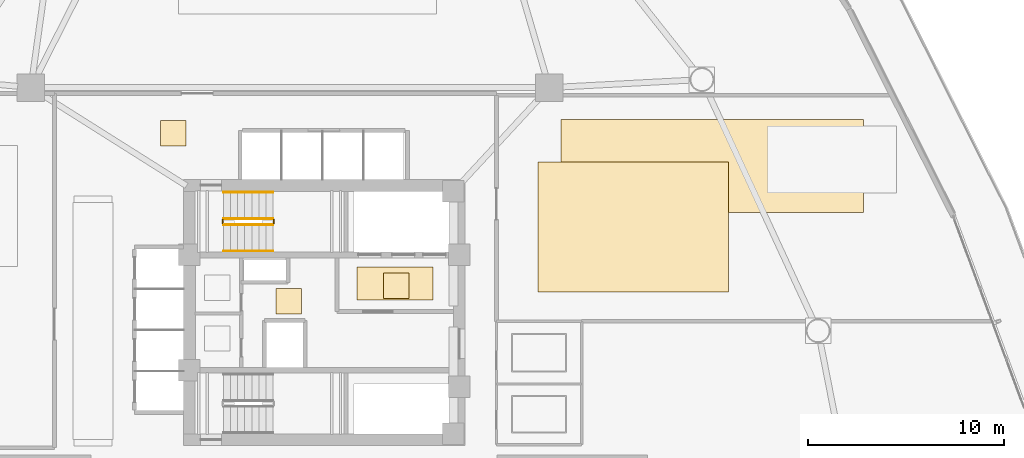
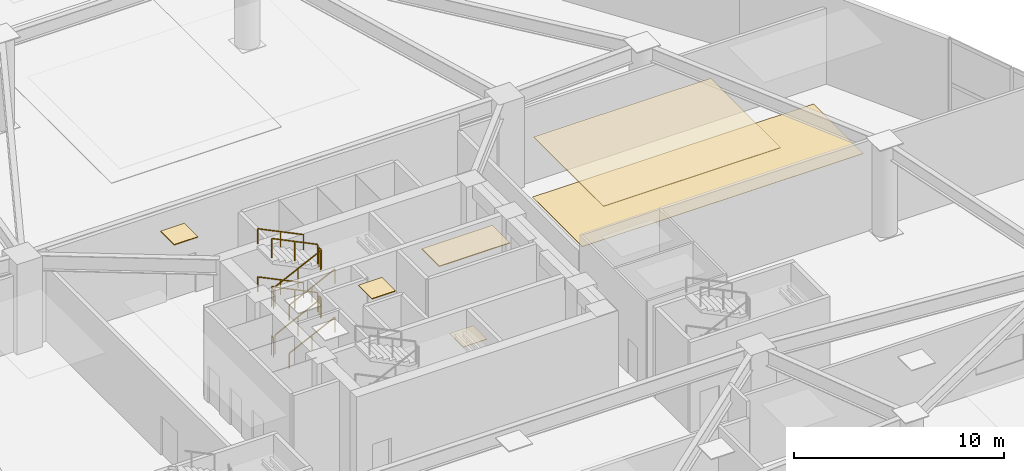
# One storey, part 22 of 26: 12 railings, 6 coverings.
"""IFC4 building model written with IfcOpenShell, lengths in metres."""

from ifc_helpers import new_model, si_unit, direction, frame, origin, origin_2d, place, context, subcontext, project, spatial, polyline, rectangle, outline, extrude, material, layer, layer_set, type_object, element, save


model = new_model("IFC4")

# Units and contexts
model_context = context("Model", 3, precision=1e-05, world=origin(), true_north=direction((0.0, 1.0)))
body_context = subcontext(model_context, "Body", "Model", "MODEL_VIEW")
ifc_project = project(units=[si_unit("LENGTHUNIT", "METRE"), si_unit("AREAUNIT", "SQUARE_METRE"), si_unit("VOLUMEUNIT", "CUBIC_METRE"), si_unit("PLANEANGLEUNIT", "RADIAN"), si_unit("MASSUNIT", "GRAM", prefix="KILO")], contexts=[model_context])

# Site, building, storey
site_placement = place(None, origin())
site = spatial("IfcSite", under=ifc_project, at=site_placement, CompositionType="ELEMENT")
building_placement = place(site_placement, origin())
building = spatial("IfcBuilding", under=site, at=building_placement, Name="Tavelor Broadcast Tower", CompositionType="ELEMENT")
storey_placement = place(building_placement, frame((0.0, 0.0, 5.800048828125)))
storey = spatial("IfcBuildingStorey", under=building, at=storey_placement, Name="L01", CompositionType="ELEMENT", Elevation=5.800048828125)

# Coverings
ifc_material_1 = material(Name="Copper-Bronze Anodized Aluminium", Category="aluminium")
ifc_layer_1 = layer(ifc_material_1, 0.044921875)
ifc_layer_set_1 = layer_set([ifc_layer_1], Name="Copper-Bronze Anodized Aluminium")
covering_type_1 = type_object("IfcCoveringType", Name="Anodised Bronze Linear Slatted Concourse Ceiling 45 mm", PredefinedType="CEILING", material=ifc_layer_set_1)
covering_1_placement = place(storey_placement, frame((0.0, 0.0, 5.204833984375)))
element("IfcCovering", 1, at=covering_1_placement, inside=storey, type_object=covering_type_1, Name="L01 Suspended Acoustic Ceiling 0030", PredefinedType="CEILING", context=body_context, shape_type="SweptSolid", body=[
    extrude(outline(polyline([(51.659912109375, 45.654296875), (55.55712890625, 45.654296875), (55.55712890625, 47.331787109375), (51.659912109375, 47.331787109375), (51.659912109375, 45.654296875)])), origin(), (0.0, 0.0, 1.0), 0.045166015625),
])
covering_2_placement = place(storey_placement, frame((0.0, 0.0, 5.204833984375)))
element("IfcCovering", 2, at=covering_2_placement, inside=storey, type_object=covering_type_1, Name="L01 Suspended Acoustic Ceiling 0031", PredefinedType="CEILING", context=body_context, shape_type="SweptSolid", body=[
    extrude(outline(polyline([(47.5400390625, 44.919921875), (48.840087890625, 44.919921875), (48.840087890625, 46.219970703125), (47.5400390625, 46.219970703125), (47.5400390625, 44.919921875)])), origin(), (0.0, 0.0, 1.0), 0.045166015625),
])
covering_3_placement = place(storey_placement, frame((0.0, 0.0, 5.204833984375)))
element("IfcCovering", 3, at=covering_3_placement, inside=storey, type_object=covering_type_1, Name="L01 Suspended Acoustic Ceiling 0035", PredefinedType="CEILING", context=body_context, shape_type="SweptSolid", body=[
    extrude(outline(polyline([(41.627197265625, 53.513671875), (42.92724609375, 53.513671875), (42.92724609375, 54.813720703125), (41.627197265625, 54.813720703125), (41.627197265625, 53.513671875)])), origin(), (0.0, 0.0, 1.0), 0.045166015625),
])

# Railings
ifc_material_2 = material(Name="Steel S355", Category="steel")
railing_type_1 = type_object("IfcRailingType", Name="Continuous Brushed Stainless Handrail 900 mm", PredefinedType="HANDRAIL", material=ifc_material_2)
railing_1_placement = place(storey_placement, frame((44.85009765625, 48.14990234375, 0.175048828125)))
element("IfcRailing", 4, at=railing_1_placement, inside=storey, type_object=railing_type_1, Name="L01 ST1 stair handrail 1", PredefinedType="HANDRAIL", context=body_context, shape_type="SweptSolid", body=[
    extrude(rectangle(XDim=0.048095703125, YDim=0.048095703125, at=origin_2d()), frame((0.0, 0.0, 0.8759765625), z_axis=(0.899389741696, 0.0, 0.437147678172), x_axis=(0.0, 1.0, 0.0)), (0.0, 0.0, 1.0), 2.802001953125),
    extrude(rectangle(XDim=0.0419921875, YDim=0.0419921875, at=origin_2d()), origin(), (0.0, 0.0, 1.0), 0.851806640625),
    extrude(rectangle(XDim=0.0419921875, YDim=0.0419921875, at=origin_2d()), frame((1.260009765625, 0.0, 0.6123046875)), (0.0, 0.0, 1.0), 0.851806640625),
    extrude(rectangle(XDim=0.0419921875, YDim=0.0419921875, at=origin_2d()), frame((2.52001953125, 0.0, 1.224853515625)), (0.0, 0.0, 1.0), 0.851806640625),
])
railing_2_placement = place(storey_placement, frame((47.3701171875, 51.14990234375, 1.574951171875)))
element("IfcRailing", 5, at=railing_2_placement, inside=storey, type_object=railing_type_1, Name="L01 ST1 stair handrail 2", PredefinedType="HANDRAIL", context=body_context, shape_type="SweptSolid", body=[
    extrude(rectangle(XDim=0.048095703125, YDim=0.048095703125, at=origin_2d()), frame((0.0, 0.0, 0.8759765625), z_axis=(-0.899355482384, 0.0, 0.437218156423), x_axis=(0.0, -1.0, 0.0)), (0.0, 0.0, 1.0), 2.802001953125),
    extrude(rectangle(XDim=0.0419921875, YDim=0.0419921875, at=origin_2d()), origin(), (0.0, 0.0, 1.0), 0.851806640625),
    extrude(rectangle(XDim=0.0419921875, YDim=0.0419921875, at=origin_2d()), frame((-1.260009765625, 0.0, 0.612548828125)), (0.0, 0.0, 1.0), 0.851806640625),
    extrude(rectangle(XDim=0.0419921875, YDim=0.0419921875, at=origin_2d()), frame((-2.52001953125, 0.0, 1.22509765625)), (0.0, 0.0, 1.0), 0.851806640625),
])
railing_3_placement = place(storey_placement, frame((44.85009765625, 48.14990234375, 2.974853515625)))
element("IfcRailing", 6, at=railing_3_placement, inside=storey, type_object=railing_type_1, Name="L01 ST1 stair handrail 3", PredefinedType="HANDRAIL", context=body_context, shape_type="SweptSolid", body=[
    extrude(rectangle(XDim=0.048095703125, YDim=0.048095703125, at=origin_2d()), frame((0.0, 0.0, 0.8759765625), z_axis=(0.899355482384, 0.0, 0.437218156423), x_axis=(0.0, 1.0, 0.0)), (0.0, 0.0, 1.0), 2.802001953125),
    extrude(rectangle(XDim=0.0419921875, YDim=0.0419921875, at=origin_2d()), origin(), (0.0, 0.0, 1.0), 0.851806640625),
    extrude(rectangle(XDim=0.0419921875, YDim=0.0419921875, at=origin_2d()), frame((1.260009765625, 0.0, 0.612548828125)), (0.0, 0.0, 1.0), 0.851806640625),
    extrude(rectangle(XDim=0.0419921875, YDim=0.0419921875, at=origin_2d()), frame((2.52001953125, 0.0, 1.22509765625)), (0.0, 0.0, 1.0), 0.851806640625),
])
railing_4_placement = place(storey_placement, frame((47.3701171875, 51.14990234375, 4.375)))
element("IfcRailing", 7, at=railing_4_placement, inside=storey, type_object=railing_type_1, Name="L01 ST1 stair handrail 4", PredefinedType="HANDRAIL", context=body_context, shape_type="SweptSolid", body=[
    extrude(rectangle(XDim=0.048095703125, YDim=0.048095703125, at=origin_2d()), frame((0.0, 0.0, 0.8759765625), z_axis=(-0.899389741696, 0.0, 0.437147678172), x_axis=(0.0, -1.0, 0.0)), (0.0, 0.0, 1.0), 2.802001953125),
    extrude(rectangle(XDim=0.0419921875, YDim=0.0419921875, at=origin_2d()), origin(), (0.0, 0.0, 1.0), 0.851806640625),
    extrude(rectangle(XDim=0.0419921875, YDim=0.0419921875, at=origin_2d()), frame((-1.260009765625, 0.0, 0.6123046875)), (0.0, 0.0, 1.0), 0.851806640625),
    extrude(rectangle(XDim=0.0419921875, YDim=0.0419921875, at=origin_2d()), frame((-2.52001953125, 0.0, 1.224853515625)), (0.0, 0.0, 1.0), 0.851806640625),
])

# Coverings
ifc_material_3 = material(Name="Acoustic Nylon Carpet Tile")
ifc_layer_2 = layer(ifc_material_3, 0.02001953125)
ifc_layer_set_2 = layer_set([ifc_layer_2], Name="Acoustic Nylon Carpet Tile")
covering_type_2 = type_object("IfcCoveringType", Name="Heavy-Duty Acoustic Broadcast Carpet Tile 20 mm", PredefinedType="FLOORING", material=ifc_layer_set_2)
covering_4_placement = place(storey_placement, origin())
element("IfcCovering", 8, at=covering_4_placement, inside=storey, type_object=covering_type_2, Name="L01 Broadcast Floor Finish 0022", PredefinedType="FLOORING", context=body_context, shape_type="SweptSolid", body=[
    extrude(outline(polyline([(62.1064453125, 50.12109375), (77.5576171875, 50.12109375), (77.5576171875, 54.873779296875), (62.1064453125, 54.873779296875), (62.1064453125, 50.12109375)])), origin(), (0.0, 0.0, 1.0), 0.02001953125),
])
ifc_material_4 = material(Name="Honed Natural Limestone Tile", Category="masonry")
ifc_layer_3 = layer(ifc_material_4, 0.030029296875)
ifc_layer_set_3 = layer_set([ifc_layer_3], Name="Honed Natural Limestone Tile")
covering_type_3 = type_object("IfcCoveringType", Name="Honed Jerusalem Limestone Concourse Flooring 30 mm", PredefinedType="FLOORING", material=ifc_layer_set_3)
covering_5_placement = place(storey_placement, origin())
element("IfcCovering", 9, at=covering_5_placement, inside=storey, type_object=covering_type_3, Name="L01 Broadcast Floor Finish 0013", PredefinedType="FLOORING", context=body_context, shape_type="SweptSolid", body=[
    extrude(outline(polyline([(53.030029296875, 45.728515625), (54.330078125, 45.728515625), (54.330078125, 47.028564453125), (53.030029296875, 47.028564453125), (53.030029296875, 45.728515625)])), origin(), (0.0, 0.0, 1.0), 0.030029296875),
])

# Railings
railing_type_2 = type_object("IfcRailingType", Name="Stairwell Steel Safety Guardrail 1150 mm", PredefinedType="GUARDRAIL", material=ifc_material_2)
railing_5_placement = place(storey_placement, frame((44.85009765625, 49.5, 0.175048828125)))
element("IfcRailing", 10, at=railing_5_placement, inside=storey, type_object=railing_type_2, Name="L01 ST1 stair guard 1", PredefinedType="GUARDRAIL", context=body_context, shape_type="SweptSolid", body=[
    extrude(rectangle(XDim=0.048095703125, YDim=0.048095703125, at=origin_2d()), frame((0.0, 0.0, 1.1259765625), z_axis=(0.899389741696, 0.0, 0.437147678172), x_axis=(0.0, 1.0, 0.0)), (0.0, 0.0, 1.0), 2.802001953125),
    extrude(rectangle(XDim=0.0419921875, YDim=0.0419921875, at=origin_2d()), origin(), (0.0, 0.0, 1.0), 1.101806640625),
    extrude(rectangle(XDim=0.0419921875, YDim=0.0419921875, at=origin_2d()), frame((1.260009765625, 0.0, 0.6123046875)), (0.0, 0.0, 1.0), 1.101806640625),
    extrude(rectangle(XDim=0.0419921875, YDim=0.0419921875, at=origin_2d()), frame((2.52001953125, 0.0, 1.224853515625)), (0.0, 0.0, 1.0), 1.101806640625),
])
railing_6_placement = place(storey_placement, frame((47.419921875, 49.550048828125, 1.39990234375)))
element("IfcRailing", 11, at=railing_6_placement, inside=storey, type_object=railing_type_2, Name="L01 ST1 stair guard 2", PredefinedType="GUARDRAIL", context=body_context, shape_type="SweptSolid", body=[
    extrude(rectangle(XDim=0.048095703125, YDim=0.048095703125, at=origin_2d()), frame((0.0, 0.0, 1.1259765625), z_axis=(0.0, 1.0, 0.0), x_axis=(-1.0, 0.0, 0.0)), (0.0, 0.0, 1.0), 0.199951171875),
    extrude(rectangle(XDim=0.0419921875, YDim=0.0419921875, at=origin_2d()), origin(), (0.0, 0.0, 1.0), 1.101806640625),
    extrude(rectangle(XDim=0.0419921875, YDim=0.0419921875, at=origin_2d()), frame((0.0, 0.199951171875, 0.0)), (0.0, 0.0, 1.0), 1.101806640625),
])
railing_7_placement = place(storey_placement, frame((47.3701171875, 49.800048828125, 1.574951171875)))
element("IfcRailing", 12, at=railing_7_placement, inside=storey, type_object=railing_type_2, Name="L01 ST1 stair guard 3", PredefinedType="GUARDRAIL", context=body_context, shape_type="SweptSolid", body=[
    extrude(rectangle(XDim=0.048095703125, YDim=0.048095703125, at=origin_2d()), frame((0.0, 0.0, 1.1259765625), z_axis=(-0.899355482384, 0.0, 0.437218156423), x_axis=(0.0, -1.0, 0.0)), (0.0, 0.0, 1.0), 2.802001953125),
    extrude(rectangle(XDim=0.0419921875, YDim=0.0419921875, at=origin_2d()), origin(), (0.0, 0.0, 1.0), 1.101806640625),
    extrude(rectangle(XDim=0.0419921875, YDim=0.0419921875, at=origin_2d()), frame((-1.260009765625, 0.0, 0.612548828125)), (0.0, 0.0, 1.0), 1.101806640625),
    extrude(rectangle(XDim=0.0419921875, YDim=0.0419921875, at=origin_2d()), frame((-2.52001953125, 0.0, 1.22509765625)), (0.0, 0.0, 1.0), 1.101806640625),
])
railing_8_placement = place(storey_placement, frame((44.800048828125, 49.550048828125, 2.800048828125)))
element("IfcRailing", 13, at=railing_8_placement, inside=storey, type_object=railing_type_2, Name="L01 ST1 stair guard 4", PredefinedType="GUARDRAIL", context=body_context, shape_type="SweptSolid", body=[
    extrude(rectangle(XDim=0.048095703125, YDim=0.048095703125, at=origin_2d()), frame((0.0, 0.0, 1.1259765625), z_axis=(0.0, 1.0, 0.0), x_axis=(-1.0, 0.0, 0.0)), (0.0, 0.0, 1.0), 0.199951171875),
    extrude(rectangle(XDim=0.0419921875, YDim=0.0419921875, at=origin_2d()), origin(), (0.0, 0.0, 1.0), 1.101806640625),
    extrude(rectangle(XDim=0.0419921875, YDim=0.0419921875, at=origin_2d()), frame((0.0, 0.199951171875, 0.0)), (0.0, 0.0, 1.0), 1.101806640625),
])
railing_9_placement = place(storey_placement, frame((44.85009765625, 49.5, 2.974853515625)))
element("IfcRailing", 14, at=railing_9_placement, inside=storey, type_object=railing_type_2, Name="L01 ST1 stair guard 5", PredefinedType="GUARDRAIL", context=body_context, shape_type="SweptSolid", body=[
    extrude(rectangle(XDim=0.048095703125, YDim=0.048095703125, at=origin_2d()), frame((0.0, 0.0, 1.1259765625), z_axis=(0.899355482384, 0.0, 0.437218156423), x_axis=(0.0, 1.0, 0.0)), (0.0, 0.0, 1.0), 2.802001953125),
    extrude(rectangle(XDim=0.0419921875, YDim=0.0419921875, at=origin_2d()), origin(), (0.0, 0.0, 1.0), 1.101806640625),
    extrude(rectangle(XDim=0.0419921875, YDim=0.0419921875, at=origin_2d()), frame((1.260009765625, 0.0, 0.612548828125)), (0.0, 0.0, 1.0), 1.101806640625),
    extrude(rectangle(XDim=0.0419921875, YDim=0.0419921875, at=origin_2d()), frame((2.52001953125, 0.0, 1.22509765625)), (0.0, 0.0, 1.0), 1.101806640625),
])
railing_10_placement = place(storey_placement, frame((47.419921875, 49.550048828125, 4.199951171875)))
element("IfcRailing", 15, at=railing_10_placement, inside=storey, type_object=railing_type_2, Name="L01 ST1 stair guard 6", PredefinedType="GUARDRAIL", context=body_context, shape_type="SweptSolid", body=[
    extrude(rectangle(XDim=0.048095703125, YDim=0.048095703125, at=origin_2d()), frame((0.0, 0.0, 1.1259765625), z_axis=(0.0, 1.0, 0.0), x_axis=(-1.0, 0.0, 0.0)), (0.0, 0.0, 1.0), 0.199951171875),
    extrude(rectangle(XDim=0.0419921875, YDim=0.0419921875, at=origin_2d()), origin(), (0.0, 0.0, 1.0), 1.101806640625),
    extrude(rectangle(XDim=0.0419921875, YDim=0.0419921875, at=origin_2d()), frame((0.0, 0.199951171875, 0.0)), (0.0, 0.0, 1.0), 1.101806640625),
])
railing_11_placement = place(storey_placement, frame((47.3701171875, 49.800048828125, 4.375)))
element("IfcRailing", 16, at=railing_11_placement, inside=storey, type_object=railing_type_2, Name="L01 ST1 stair guard 7", PredefinedType="GUARDRAIL", context=body_context, shape_type="SweptSolid", body=[
    extrude(rectangle(XDim=0.048095703125, YDim=0.048095703125, at=origin_2d()), frame((0.0, 0.0, 1.1259765625), z_axis=(-0.899389741696, 0.0, 0.437147678172), x_axis=(0.0, -1.0, 0.0)), (0.0, 0.0, 1.0), 2.802001953125),
    extrude(rectangle(XDim=0.0419921875, YDim=0.0419921875, at=origin_2d()), origin(), (0.0, 0.0, 1.0), 1.101806640625),
    extrude(rectangle(XDim=0.0419921875, YDim=0.0419921875, at=origin_2d()), frame((-1.260009765625, 0.0, 0.6123046875)), (0.0, 0.0, 1.0), 1.101806640625),
    extrude(rectangle(XDim=0.0419921875, YDim=0.0419921875, at=origin_2d()), frame((-2.52001953125, 0.0, 1.224853515625)), (0.0, 0.0, 1.0), 1.101806640625),
])
railing_12_placement = place(storey_placement, frame((44.800048828125, 49.550048828125, 0.0)))
element("IfcRailing", 17, at=railing_12_placement, inside=storey, type_object=railing_type_2, Name="L01 ST1 stair guard 8", PredefinedType="GUARDRAIL", context=body_context, shape_type="SweptSolid", body=[
    extrude(rectangle(XDim=0.048095703125, YDim=0.048095703125, at=origin_2d()), frame((0.0, 0.0, 1.1259765625), z_axis=(0.0, 1.0, 0.0), x_axis=(-1.0, 0.0, 0.0)), (0.0, 0.0, 1.0), 0.199951171875),
    extrude(rectangle(XDim=0.0419921875, YDim=0.0419921875, at=origin_2d()), origin(), (0.0, 0.0, 1.0), 1.101806640625),
    extrude(rectangle(XDim=0.0419921875, YDim=0.0419921875, at=origin_2d()), frame((0.0, 0.199951171875, 0.0)), (0.0, 0.0, 1.0), 1.101806640625),
])

# Covering
ifc_material_5 = material(Name="Acoustic Mineral Fibre Tile")
ifc_layer_4 = layer(ifc_material_5, 0.0400390625)
ifc_layer_set_4 = layer_set([ifc_layer_4], Name="Acoustic Mineral Fibre Tile")
covering_type_4 = type_object("IfcCoveringType", Name="Suspended Acoustic Mineral-Fibre Office Ceiling 40 mm", PredefinedType="CEILING", material=ifc_layer_set_4)
covering_6_placement = place(storey_placement, frame((0.0, 0.0, 5.2099609375)))
element("IfcCovering", 18, at=covering_6_placement, inside=storey, type_object=covering_type_4, Name="L01 Suspended Acoustic Ceiling 0053", PredefinedType="CEILING", context=body_context, shape_type="SweptSolid", body=[
    extrude(outline(polyline([(60.91650390625, 46.054931640625), (70.6591796875, 46.054931640625), (70.6591796875, 52.703857421875), (60.91650390625, 52.703857421875), (60.91650390625, 46.054931640625)])), origin(), (0.0, 0.0, 1.0), 0.0400390625),
])

save(model, "model.ifc")
